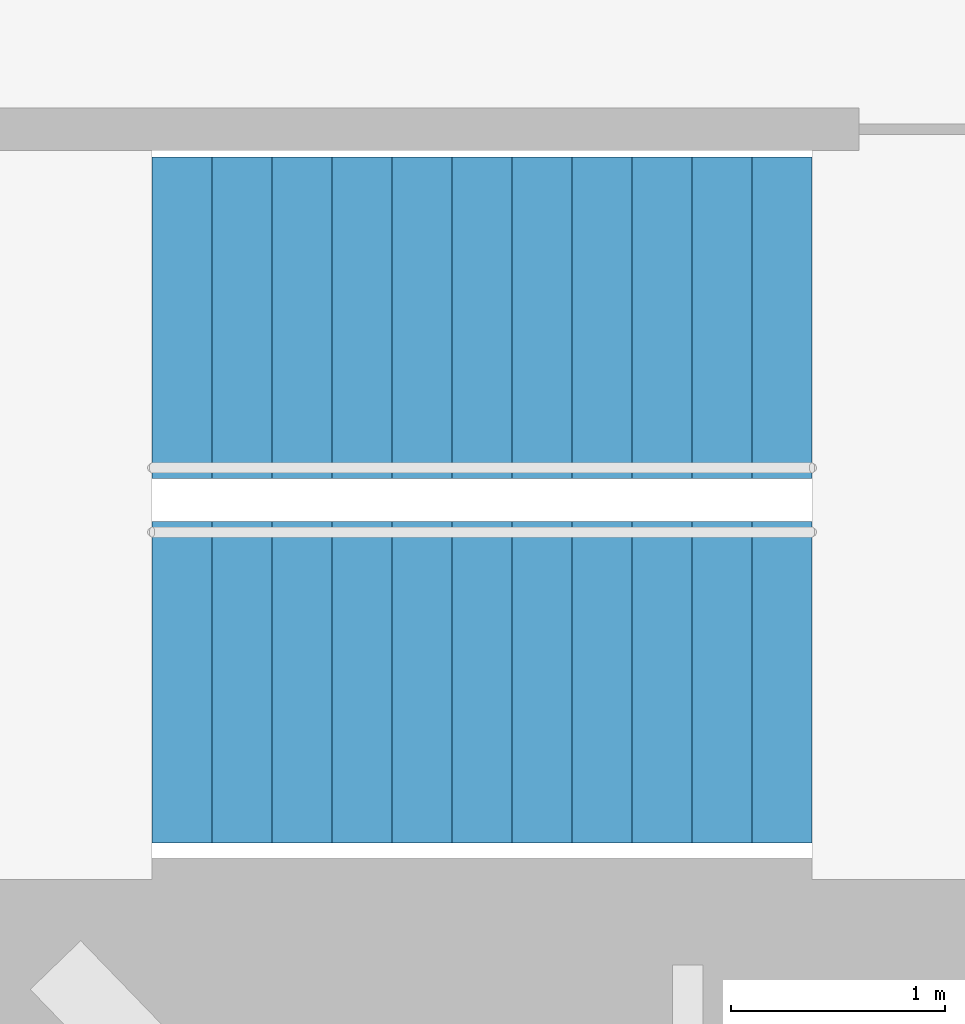
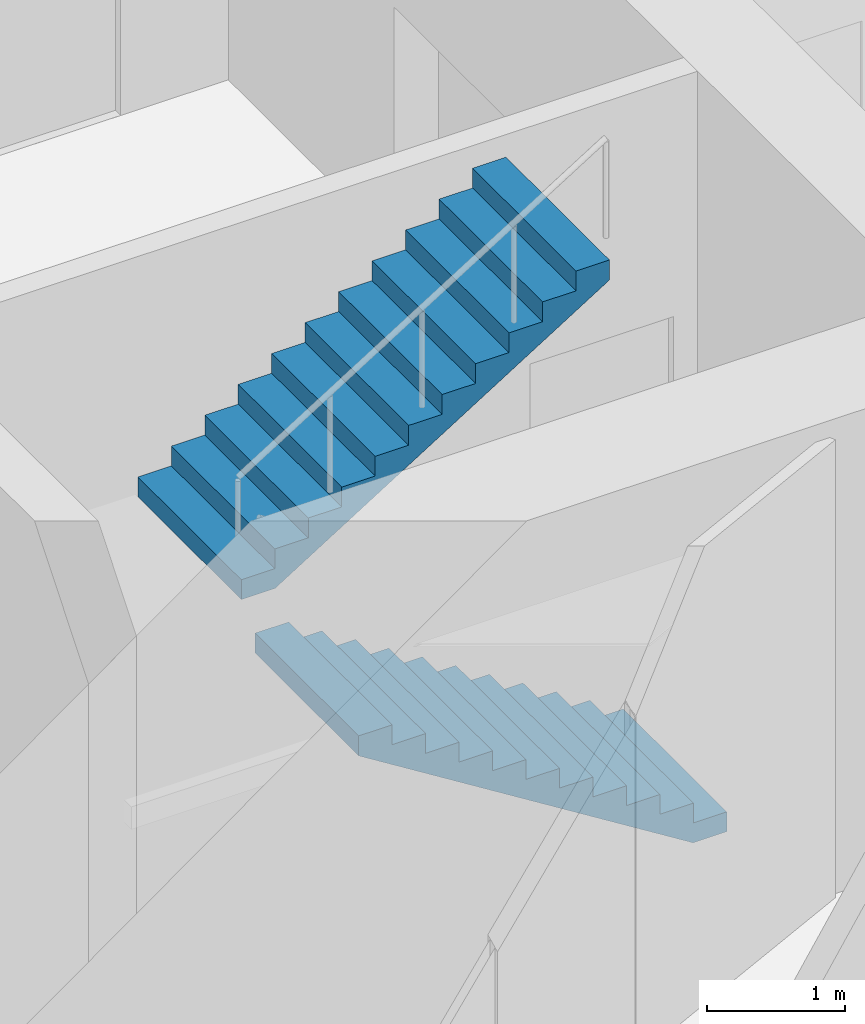
# One storey, part 16 of 17: 2 stair flights, 1 element without a shape of its own.
"""IFC4 building model written with IfcOpenShell, lengths in metres."""

from ifc_helpers import new_model, si_unit, direction, frame, origin, place, context, subcontext, project, spatial, triangles, material, type_object, element, aggregate, save


model = new_model("IFC4")

# Units and contexts
model_context = context("Model", 3, precision=1e-05, world=origin(), true_north=direction((0.0, 1.0)))
body_context = subcontext(model_context, "Body", "Model", "MODEL_VIEW")
ifc_project = project(units=[si_unit("LENGTHUNIT", "METRE"), si_unit("AREAUNIT", "SQUARE_METRE"), si_unit("VOLUMEUNIT", "CUBIC_METRE"), si_unit("PLANEANGLEUNIT", "RADIAN"), si_unit("MASSUNIT", "GRAM", prefix="KILO")], contexts=[model_context])

# Site, building, storey
site_placement = place(None, origin())
site = spatial("IfcSite", under=ifc_project, at=site_placement, CompositionType="ELEMENT")
building_placement = place(site_placement, origin())
building = spatial("IfcBuilding", under=site, at=building_placement, Name="Lantaw Convention Tower", CompositionType="ELEMENT")
storey_placement = place(building_placement, frame((0.0, 0.0, 224.199951171875)))
storey = spatial("IfcBuildingStorey", under=building, at=storey_placement, Name="L52", CompositionType="ELEMENT", Elevation=224.199951171875)

# Stair, stair flights
ifc_material = material(Name="Concrete C35/45", Category="concrete")
stair_type = type_object("IfcStairType", Name="Exit stair 1500 riser 175 in 2 flights", PredefinedType="HALF_TURN_STAIR", material=ifc_material)
stair_placement = place(storey_placement, origin())
stair = element("IfcStair", 1, at=stair_placement, inside=storey, type_object=stair_type, Name="Exit stair S2 L52", PredefinedType="HALF_TURN_STAIR")
stair_flight_type = type_object("IfcStairFlightType", Name="Stair flight 1500 riser 175", PredefinedType="STRAIGHT", material=ifc_material)
stair_flight_1_placement = place(storey_placement, frame((10.580078125, -5.97998046875, 0.0), z_axis=(0.0, 0.0, 1.0), x_axis=(-1.0, 0.0, 0.0)))
stair_flight_1 = element("IfcStairFlight", 2, at=stair_flight_1_placement, type_object=stair_flight_type, Name="S2 flight 1", NumberOfRisers=12, NumberOfTreads=11, PredefinedType="STRAIGHT", RiserHeight=0.175, TreadLength=0.28, context=body_context, shape_type="Tessellation", body=[
    triangles([(0.0, 0.75, 0.0), (0.0, 0.75, 0.175), (0.28, 0.75, 0.0), (0.28, 0.75, 0.175), (0.28, 0.75, 0.35), (0.28283517651771284, 0.75, 0.0), (0.28283517651771284, 0.75, 0.35), (0.56, 0.75, 0.17322801467642948), (0.56, 0.75, 0.35), (0.56, 0.75, 0.5249999999999999), (0.8400000000000001, 0.75, 0.34822801467642944), (0.8400000000000001, 0.75, 0.5249999999999999), (0.8400000000000001, 0.75, 0.7), (1.12, 0.75, 0.5232280146764294), (1.12, 0.75, 0.7), (1.12, 0.75, 0.875), (1.4000000000000001, 0.75, 0.6982280146764295), (1.4000000000000001, 0.75, 0.875), (1.4000000000000001, 0.75, 1.0499999999999998), (1.6800000000000002, 0.75, 0.8732280146764294), (1.6800000000000002, 0.75, 1.0499999999999998), (1.6800000000000002, 0.75, 1.2249999999999999), (1.9600000000000002, 0.75, 1.0482280146764293), (1.9600000000000002, 0.75, 1.2249999999999999), (1.9600000000000002, 0.75, 1.4), (2.24, 0.75, 1.2232280146764294), (2.24, 0.75, 1.4), (2.24, 0.75, 1.575), (2.5200000000000005, 0.75, 1.3982280146764294), (2.5200000000000005, 0.75, 1.575), (2.5200000000000005, 0.75, 1.75), (2.8000000000000003, 0.75, 1.5732280146764293), (2.8000000000000003, 0.75, 1.75), (2.8000000000000003, 0.75, 1.9249999999999998), (3.08, 0.75, 1.7482280146764293), (3.08, 0.75, 1.9249999999999998), (0.0, -0.75, 0.0), (0.0, -0.75, 0.175), (0.28, -0.75, 0.0), (0.28, -0.75, 0.175), (0.28, -0.75, 0.35), (0.28283517651771284, -0.75, 0.0), (0.28283517651771284, -0.75, 0.35), (0.56, -0.75, 0.17322801467642948), (0.56, -0.75, 0.35), (0.56, -0.75, 0.5249999999999999), (0.8400000000000001, -0.75, 0.34822801467642944), (0.8400000000000001, -0.75, 0.5249999999999999), (0.8400000000000001, -0.75, 0.7), (1.12, -0.75, 0.5232280146764294), (1.12, -0.75, 0.7), (1.12, -0.75, 0.875), (1.4000000000000001, -0.75, 0.6982280146764295), (1.4000000000000001, -0.75, 0.875), (1.4000000000000001, -0.75, 1.0499999999999998), (1.6800000000000002, -0.75, 0.8732280146764294), (1.6800000000000002, -0.75, 1.0499999999999998), (1.6800000000000002, -0.75, 1.2249999999999999), (1.9600000000000002, -0.75, 1.0482280146764293), (1.9600000000000002, -0.75, 1.2249999999999999), (1.9600000000000002, -0.75, 1.4), (2.24, -0.75, 1.2232280146764294), (2.24, -0.75, 1.4), (2.24, -0.75, 1.575), (2.5200000000000005, -0.75, 1.3982280146764294), (2.5200000000000005, -0.75, 1.575), (2.5200000000000005, -0.75, 1.75), (2.8000000000000003, -0.75, 1.5732280146764293), (2.8000000000000003, -0.75, 1.75), (2.8000000000000003, -0.75, 1.9249999999999998), (3.08, -0.75, 1.7482280146764293), (3.08, -0.75, 1.9249999999999998), (0.0, 0.15000000000000002, 0.175), (0.0, 0.15000000000000002, 0.0), (0.0, 0.0, 0.175), (0.0, 0.0, 0.0), (0.0, -0.15000000000000002, 0.175), (0.0, -0.15000000000000002, 0.0), (0.28, 0.15000000000000002, 0.35), (0.28, 0.15000000000000002, 0.175), (0.28, 0.0, 0.35), (0.28, 0.0, 0.175), (0.28, -0.15000000000000002, 0.35), (0.28, -0.15000000000000002, 0.175), (0.56, 0.15000000000000002, 0.5249999999999999), (0.56, 0.15000000000000002, 0.35), (0.56, 0.0, 0.5249999999999999), (0.56, 0.0, 0.35), (0.56, -0.15000000000000002, 0.5249999999999999), (0.56, -0.15000000000000002, 0.35), (0.8400000000000001, 0.15000000000000002, 0.7), (0.8400000000000001, 0.15000000000000002, 0.5249999999999999), (0.8400000000000001, 0.0, 0.7), (0.8400000000000001, 0.0, 0.5249999999999999), (0.8400000000000001, -0.15000000000000002, 0.7), (0.8400000000000001, -0.15000000000000002, 0.5249999999999999), (1.12, 0.15000000000000002, 0.875), (1.12, 0.15000000000000002, 0.7), (1.12, 0.0, 0.875), (1.12, 0.0, 0.7), (1.12, -0.15000000000000002, 0.875), (1.12, -0.15000000000000002, 0.7), (1.4000000000000001, 0.15000000000000002, 1.0499999999999998), (1.4000000000000001, 0.15000000000000002, 0.875), (1.4000000000000001, 0.0, 1.0499999999999998), (1.4000000000000001, 0.0, 0.875), (1.4000000000000001, -0.15000000000000002, 1.0499999999999998), (1.4000000000000001, -0.15000000000000002, 0.875), (1.6800000000000002, 0.15000000000000002, 1.2249999999999999), (1.6800000000000002, 0.15000000000000002, 1.0499999999999998), (1.6800000000000002, 0.0, 1.2249999999999999), (1.6800000000000002, 0.0, 1.0499999999999998), (1.6800000000000002, -0.15000000000000002, 1.2249999999999999), (1.6800000000000002, -0.15000000000000002, 1.0499999999999998), (1.9600000000000002, 0.15000000000000002, 1.4), (1.9600000000000002, 0.15000000000000002, 1.2249999999999999), (1.9600000000000002, 0.0, 1.4), (1.9600000000000002, 0.0, 1.2249999999999999), (1.9600000000000002, -0.15000000000000002, 1.4), (1.9600000000000002, -0.15000000000000002, 1.2249999999999999), (2.24, 0.15000000000000002, 1.575), (2.24, 0.15000000000000002, 1.4), (2.24, 0.0, 1.575), (2.24, 0.0, 1.4), (2.24, -0.15000000000000002, 1.575), (2.24, -0.15000000000000002, 1.4), (2.5200000000000005, 0.15000000000000002, 1.75), (2.5200000000000005, 0.15000000000000002, 1.575), (2.5200000000000005, 0.0, 1.75), (2.5200000000000005, 0.0, 1.575), (2.5200000000000005, -0.15000000000000002, 1.75), (2.5200000000000005, -0.15000000000000002, 1.575), (2.8000000000000003, 0.15000000000000002, 1.9249999999999998), (2.8000000000000003, 0.15000000000000002, 1.75), (2.8000000000000003, 0.0, 1.9249999999999998), (2.8000000000000003, 0.0, 1.75), (2.8000000000000003, -0.15000000000000002, 1.9249999999999998), (2.8000000000000003, -0.15000000000000002, 1.75), (0.28283517651771284, 0.15000000000000002, 0.35), (0.28283517651771284, 0.0, 0.35), (0.28283517651771284, -0.15000000000000002, 0.35), (3.08, 0.15000000000000002, 1.9249999999999998), (3.08, 0.0, 1.9249999999999998), (3.08, -0.15000000000000002, 1.9249999999999998), (3.08, 0.15000000000000002, 1.7482280146764293), (3.08, 0.0, 1.7482280146764293), (3.08, -0.15000000000000002, 1.7482280146764293), (2.8000000000000003, 0.15000000000000002, 1.5732280146764293), (2.8000000000000003, 0.0, 1.5732280146764293), (2.8000000000000003, -0.15000000000000002, 1.5732280146764293), (2.5200000000000005, 0.15000000000000002, 1.3982280146764294), (2.5200000000000005, 0.0, 1.3982280146764294), (2.5200000000000005, -0.15000000000000002, 1.3982280146764294), (2.24, 0.15000000000000002, 1.2232280146764294), (2.24, 0.0, 1.2232280146764294), (2.24, -0.15000000000000002, 1.2232280146764294), (1.9600000000000002, 0.15000000000000002, 1.0482280146764293), (1.9600000000000002, 0.0, 1.0482280146764293), (1.9600000000000002, -0.15000000000000002, 1.0482280146764293), (1.6800000000000002, 0.15000000000000002, 0.8732280146764294), (1.6800000000000002, 0.0, 0.8732280146764294), (1.6800000000000002, -0.15000000000000002, 0.8732280146764294), (1.4000000000000001, 0.15000000000000002, 0.6982280146764295), (1.4000000000000001, 0.0, 0.6982280146764295), (1.4000000000000001, -0.15000000000000002, 0.6982280146764295), (1.12, 0.15000000000000002, 0.5232280146764294), (1.12, 0.0, 0.5232280146764294), (1.12, -0.15000000000000002, 0.5232280146764294), (0.8400000000000001, 0.15000000000000002, 0.34822801467642944), (0.8400000000000001, 0.0, 0.34822801467642944), (0.8400000000000001, -0.15000000000000002, 0.34822801467642944), (0.56, 0.15000000000000002, 0.17322801467642948), (0.56, 0.0, 0.17322801467642948), (0.56, -0.15000000000000002, 0.17322801467642948), (0.28283517651771284, 0.15000000000000002, 0.0), (0.28283517651771284, 0.0, 0.0), (0.28283517651771284, -0.15000000000000002, 0.0), (0.28, 0.15000000000000002, 0.0), (0.28, 0.0, 0.0), (0.28, -0.15000000000000002, 0.0)], [[1, 4, 3], [1, 2, 4], [3, 4, 6], [4, 7, 6], [4, 5, 7], [6, 9, 8], [6, 7, 9], [8, 9, 11], [9, 12, 11], [9, 10, 12], [11, 12, 14], [12, 15, 14], [12, 13, 15], [14, 15, 17], [15, 18, 17], [15, 16, 18], [17, 18, 20], [18, 21, 20], [18, 19, 21], [20, 21, 23], [21, 24, 23], [21, 22, 24], [23, 24, 26], [24, 27, 26], [24, 25, 27], [26, 27, 29], [27, 30, 29], [27, 28, 30], [29, 30, 32], [30, 33, 32], [30, 31, 33], [32, 33, 35], [33, 36, 35], [33, 34, 36], [37, 39, 40], [37, 40, 38], [39, 42, 40], [40, 42, 43], [40, 43, 41], [42, 44, 45], [42, 45, 43], [44, 47, 45], [45, 47, 48], [45, 48, 46], [47, 50, 48], [48, 50, 51], [48, 51, 49], [50, 53, 51], [51, 53, 54], [51, 54, 52], [53, 56, 54], [54, 56, 57], [54, 57, 55], [56, 59, 57], [57, 59, 60], [57, 60, 58], [59, 62, 60], [60, 62, 63], [60, 63, 61], [62, 65, 63], [63, 65, 66], [63, 66, 64], [65, 68, 66], [66, 68, 69], [66, 69, 67], [68, 71, 69], [69, 71, 72], [69, 72, 70], [1, 73, 2], [1, 74, 73], [74, 75, 73], [74, 76, 75], [76, 77, 75], [76, 78, 77], [78, 38, 77], [78, 37, 38], [4, 79, 5], [4, 80, 79], [80, 81, 79], [80, 82, 81], [82, 83, 81], [82, 84, 83], [84, 41, 83], [84, 40, 41], [9, 85, 10], [9, 86, 85], [86, 87, 85], [86, 88, 87], [88, 89, 87], [88, 90, 89], [90, 46, 89], [90, 45, 46], [12, 91, 13], [12, 92, 91], [92, 93, 91], [92, 94, 93], [94, 95, 93], [94, 96, 95], [96, 49, 95], [96, 48, 49], [15, 97, 16], [15, 98, 97], [98, 99, 97], [98, 100, 99], [100, 101, 99], [100, 102, 101], [102, 52, 101], [102, 51, 52], [18, 103, 19], [18, 104, 103], [104, 105, 103], [104, 106, 105], [106, 107, 105], [106, 108, 107], [108, 55, 107], [108, 54, 55], [21, 109, 22], [21, 110, 109], [110, 111, 109], [110, 112, 111], [112, 113, 111], [112, 114, 113], [114, 58, 113], [114, 57, 58], [24, 115, 25], [24, 116, 115], [116, 117, 115], [116, 118, 117], [118, 119, 117], [118, 120, 119], [120, 61, 119], [120, 60, 61], [27, 121, 28], [27, 122, 121], [122, 123, 121], [122, 124, 123], [124, 125, 123], [124, 126, 125], [126, 64, 125], [126, 63, 64], [30, 127, 31], [30, 128, 127], [128, 129, 127], [128, 130, 129], [130, 131, 129], [130, 132, 131], [132, 67, 131], [132, 66, 67], [33, 133, 34], [33, 134, 133], [134, 135, 133], [134, 136, 135], [136, 137, 135], [136, 138, 137], [138, 70, 137], [138, 69, 70], [2, 80, 4], [2, 73, 80], [73, 82, 80], [73, 75, 82], [75, 84, 82], [75, 77, 84], [77, 40, 84], [77, 38, 40], [5, 139, 7], [5, 79, 139], [79, 140, 139], [79, 81, 140], [81, 141, 140], [81, 83, 141], [83, 43, 141], [83, 41, 43], [7, 86, 9], [7, 139, 86], [139, 88, 86], [139, 140, 88], [140, 90, 88], [140, 141, 90], [141, 45, 90], [141, 43, 45], [10, 92, 12], [10, 85, 92], [85, 94, 92], [85, 87, 94], [87, 96, 94], [87, 89, 96], [89, 48, 96], [89, 46, 48], [13, 98, 15], [13, 91, 98], [91, 100, 98], [91, 93, 100], [93, 102, 100], [93, 95, 102], [95, 51, 102], [95, 49, 51], [16, 104, 18], [16, 97, 104], [97, 106, 104], [97, 99, 106], [99, 108, 106], [99, 101, 108], [101, 54, 108], [101, 52, 54], [19, 110, 21], [19, 103, 110], [103, 112, 110], [103, 105, 112], [105, 114, 112], [105, 107, 114], [107, 57, 114], [107, 55, 57], [22, 116, 24], [22, 109, 116], [109, 118, 116], [109, 111, 118], [111, 120, 118], [111, 113, 120], [113, 60, 120], [113, 58, 60], [25, 122, 27], [25, 115, 122], [115, 124, 122], [115, 117, 124], [117, 126, 124], [117, 119, 126], [119, 63, 126], [119, 61, 63], [28, 128, 30], [28, 121, 128], [121, 130, 128], [121, 123, 130], [123, 132, 130], [123, 125, 132], [125, 66, 132], [125, 64, 66], [31, 134, 33], [31, 127, 134], [127, 136, 134], [127, 129, 136], [129, 138, 136], [129, 131, 138], [131, 69, 138], [131, 67, 69], [34, 142, 36], [34, 133, 142], [133, 143, 142], [133, 135, 143], [135, 144, 143], [135, 137, 144], [137, 72, 144], [137, 70, 72], [36, 145, 35], [36, 142, 145], [142, 146, 145], [142, 143, 146], [143, 147, 146], [143, 144, 147], [144, 71, 147], [144, 72, 71], [35, 148, 32], [35, 145, 148], [145, 149, 148], [145, 146, 149], [146, 150, 149], [146, 147, 150], [147, 68, 150], [147, 71, 68], [32, 151, 29], [32, 148, 151], [148, 152, 151], [148, 149, 152], [149, 153, 152], [149, 150, 153], [150, 65, 153], [150, 68, 65], [29, 154, 26], [29, 151, 154], [151, 155, 154], [151, 152, 155], [152, 156, 155], [152, 153, 156], [153, 62, 156], [153, 65, 62], [26, 157, 23], [26, 154, 157], [154, 158, 157], [154, 155, 158], [155, 159, 158], [155, 156, 159], [156, 59, 159], [156, 62, 59], [23, 160, 20], [23, 157, 160], [157, 161, 160], [157, 158, 161], [158, 162, 161], [158, 159, 162], [159, 56, 162], [159, 59, 56], [20, 163, 17], [20, 160, 163], [160, 164, 163], [160, 161, 164], [161, 165, 164], [161, 162, 165], [162, 53, 165], [162, 56, 53], [17, 166, 14], [17, 163, 166], [163, 167, 166], [163, 164, 167], [164, 168, 167], [164, 165, 168], [165, 50, 168], [165, 53, 50], [14, 169, 11], [14, 166, 169], [166, 170, 169], [166, 167, 170], [167, 171, 170], [167, 168, 171], [168, 47, 171], [168, 50, 47], [11, 172, 8], [11, 169, 172], [169, 173, 172], [169, 170, 173], [170, 174, 173], [170, 171, 174], [171, 44, 174], [171, 47, 44], [8, 175, 6], [8, 172, 175], [172, 176, 175], [172, 173, 176], [173, 177, 176], [173, 174, 177], [174, 42, 177], [174, 44, 42], [6, 178, 3], [6, 175, 178], [175, 179, 178], [175, 176, 179], [176, 180, 179], [176, 177, 180], [177, 39, 180], [177, 42, 39], [3, 74, 1], [3, 178, 74], [178, 76, 74], [178, 179, 76], [179, 78, 76], [179, 180, 78], [180, 37, 78], [180, 39, 37]], closed=True),
])
stair_flight_2_placement = place(storey_placement, frame((7.5, -4.280029296875, 2.10009765625), z_axis=(0.0, 0.0, 1.0), x_axis=(1.0, 0.0, 0.0)))
stair_flight_2 = element("IfcStairFlight", 3, at=stair_flight_2_placement, type_object=stair_flight_type, Name="S2 flight 2", NumberOfRisers=12, NumberOfTreads=11, PredefinedType="STRAIGHT", RiserHeight=0.175, TreadLength=0.28, context=body_context, shape_type="Tessellation", body=[
    triangles([(0.0, 0.75, 0.0), (0.0, 0.75, 0.175), (0.28, 0.75, 0.0), (0.28, 0.75, 0.175), (0.28, 0.75, 0.35), (0.28283517651771284, 0.75, 0.0), (0.28283517651771284, 0.75, 0.35), (0.56, 0.75, 0.17322801467642948), (0.56, 0.75, 0.35), (0.56, 0.75, 0.5249999999999999), (0.8400000000000001, 0.75, 0.34822801467642944), (0.8400000000000001, 0.75, 0.5249999999999999), (0.8400000000000001, 0.75, 0.7), (1.12, 0.75, 0.5232280146764294), (1.12, 0.75, 0.7), (1.12, 0.75, 0.875), (1.4000000000000001, 0.75, 0.6982280146764295), (1.4000000000000001, 0.75, 0.875), (1.4000000000000001, 0.75, 1.0499999999999998), (1.6800000000000002, 0.75, 0.8732280146764294), (1.6800000000000002, 0.75, 1.0499999999999998), (1.6800000000000002, 0.75, 1.2249999999999999), (1.9600000000000002, 0.75, 1.0482280146764293), (1.9600000000000002, 0.75, 1.2249999999999999), (1.9600000000000002, 0.75, 1.4), (2.24, 0.75, 1.2232280146764294), (2.24, 0.75, 1.4), (2.24, 0.75, 1.575), (2.5200000000000005, 0.75, 1.3982280146764294), (2.5200000000000005, 0.75, 1.575), (2.5200000000000005, 0.75, 1.75), (2.8000000000000003, 0.75, 1.5732280146764293), (2.8000000000000003, 0.75, 1.75), (2.8000000000000003, 0.75, 1.9249999999999998), (3.08, 0.75, 1.7482280146764293), (3.08, 0.75, 1.9249999999999998), (0.0, -0.75, 0.0), (0.0, -0.75, 0.175), (0.28, -0.75, 0.0), (0.28, -0.75, 0.175), (0.28, -0.75, 0.35), (0.28283517651771284, -0.75, 0.0), (0.28283517651771284, -0.75, 0.35), (0.56, -0.75, 0.17322801467642948), (0.56, -0.75, 0.35), (0.56, -0.75, 0.5249999999999999), (0.8400000000000001, -0.75, 0.34822801467642944), (0.8400000000000001, -0.75, 0.5249999999999999), (0.8400000000000001, -0.75, 0.7), (1.12, -0.75, 0.5232280146764294), (1.12, -0.75, 0.7), (1.12, -0.75, 0.875), (1.4000000000000001, -0.75, 0.6982280146764295), (1.4000000000000001, -0.75, 0.875), (1.4000000000000001, -0.75, 1.0499999999999998), (1.6800000000000002, -0.75, 0.8732280146764294), (1.6800000000000002, -0.75, 1.0499999999999998), (1.6800000000000002, -0.75, 1.2249999999999999), (1.9600000000000002, -0.75, 1.0482280146764293), (1.9600000000000002, -0.75, 1.2249999999999999), (1.9600000000000002, -0.75, 1.4), (2.24, -0.75, 1.2232280146764294), (2.24, -0.75, 1.4), (2.24, -0.75, 1.575), (2.5200000000000005, -0.75, 1.3982280146764294), (2.5200000000000005, -0.75, 1.575), (2.5200000000000005, -0.75, 1.75), (2.8000000000000003, -0.75, 1.5732280146764293), (2.8000000000000003, -0.75, 1.75), (2.8000000000000003, -0.75, 1.9249999999999998), (3.08, -0.75, 1.7482280146764293), (3.08, -0.75, 1.9249999999999998), (0.0, 0.15000000000000002, 0.175), (0.0, 0.15000000000000002, 0.0), (0.0, 0.0, 0.175), (0.0, 0.0, 0.0), (0.0, -0.15000000000000002, 0.175), (0.0, -0.15000000000000002, 0.0), (0.28, 0.15000000000000002, 0.35), (0.28, 0.15000000000000002, 0.175), (0.28, 0.0, 0.35), (0.28, 0.0, 0.175), (0.28, -0.15000000000000002, 0.35), (0.28, -0.15000000000000002, 0.175), (0.56, 0.15000000000000002, 0.5249999999999999), (0.56, 0.15000000000000002, 0.35), (0.56, 0.0, 0.5249999999999999), (0.56, 0.0, 0.35), (0.56, -0.15000000000000002, 0.5249999999999999), (0.56, -0.15000000000000002, 0.35), (0.8400000000000001, 0.15000000000000002, 0.7), (0.8400000000000001, 0.15000000000000002, 0.5249999999999999), (0.8400000000000001, 0.0, 0.7), (0.8400000000000001, 0.0, 0.5249999999999999), (0.8400000000000001, -0.15000000000000002, 0.7), (0.8400000000000001, -0.15000000000000002, 0.5249999999999999), (1.12, 0.15000000000000002, 0.875), (1.12, 0.15000000000000002, 0.7), (1.12, 0.0, 0.875), (1.12, 0.0, 0.7), (1.12, -0.15000000000000002, 0.875), (1.12, -0.15000000000000002, 0.7), (1.4000000000000001, 0.15000000000000002, 1.0499999999999998), (1.4000000000000001, 0.15000000000000002, 0.875), (1.4000000000000001, 0.0, 1.0499999999999998), (1.4000000000000001, 0.0, 0.875), (1.4000000000000001, -0.15000000000000002, 1.0499999999999998), (1.4000000000000001, -0.15000000000000002, 0.875), (1.6800000000000002, 0.15000000000000002, 1.2249999999999999), (1.6800000000000002, 0.15000000000000002, 1.0499999999999998), (1.6800000000000002, 0.0, 1.2249999999999999), (1.6800000000000002, 0.0, 1.0499999999999998), (1.6800000000000002, -0.15000000000000002, 1.2249999999999999), (1.6800000000000002, -0.15000000000000002, 1.0499999999999998), (1.9600000000000002, 0.15000000000000002, 1.4), (1.9600000000000002, 0.15000000000000002, 1.2249999999999999), (1.9600000000000002, 0.0, 1.4), (1.9600000000000002, 0.0, 1.2249999999999999), (1.9600000000000002, -0.15000000000000002, 1.4), (1.9600000000000002, -0.15000000000000002, 1.2249999999999999), (2.24, 0.15000000000000002, 1.575), (2.24, 0.15000000000000002, 1.4), (2.24, 0.0, 1.575), (2.24, 0.0, 1.4), (2.24, -0.15000000000000002, 1.575), (2.24, -0.15000000000000002, 1.4), (2.5200000000000005, 0.15000000000000002, 1.75), (2.5200000000000005, 0.15000000000000002, 1.575), (2.5200000000000005, 0.0, 1.75), (2.5200000000000005, 0.0, 1.575), (2.5200000000000005, -0.15000000000000002, 1.75), (2.5200000000000005, -0.15000000000000002, 1.575), (2.8000000000000003, 0.15000000000000002, 1.9249999999999998), (2.8000000000000003, 0.15000000000000002, 1.75), (2.8000000000000003, 0.0, 1.9249999999999998), (2.8000000000000003, 0.0, 1.75), (2.8000000000000003, -0.15000000000000002, 1.9249999999999998), (2.8000000000000003, -0.15000000000000002, 1.75), (0.28283517651771284, 0.15000000000000002, 0.35), (0.28283517651771284, 0.0, 0.35), (0.28283517651771284, -0.15000000000000002, 0.35), (3.08, 0.15000000000000002, 1.9249999999999998), (3.08, 0.0, 1.9249999999999998), (3.08, -0.15000000000000002, 1.9249999999999998), (3.08, 0.15000000000000002, 1.7482280146764293), (3.08, 0.0, 1.7482280146764293), (3.08, -0.15000000000000002, 1.7482280146764293), (2.8000000000000003, 0.15000000000000002, 1.5732280146764293), (2.8000000000000003, 0.0, 1.5732280146764293), (2.8000000000000003, -0.15000000000000002, 1.5732280146764293), (2.5200000000000005, 0.15000000000000002, 1.3982280146764294), (2.5200000000000005, 0.0, 1.3982280146764294), (2.5200000000000005, -0.15000000000000002, 1.3982280146764294), (2.24, 0.15000000000000002, 1.2232280146764294), (2.24, 0.0, 1.2232280146764294), (2.24, -0.15000000000000002, 1.2232280146764294), (1.9600000000000002, 0.15000000000000002, 1.0482280146764293), (1.9600000000000002, 0.0, 1.0482280146764293), (1.9600000000000002, -0.15000000000000002, 1.0482280146764293), (1.6800000000000002, 0.15000000000000002, 0.8732280146764294), (1.6800000000000002, 0.0, 0.8732280146764294), (1.6800000000000002, -0.15000000000000002, 0.8732280146764294), (1.4000000000000001, 0.15000000000000002, 0.6982280146764295), (1.4000000000000001, 0.0, 0.6982280146764295), (1.4000000000000001, -0.15000000000000002, 0.6982280146764295), (1.12, 0.15000000000000002, 0.5232280146764294), (1.12, 0.0, 0.5232280146764294), (1.12, -0.15000000000000002, 0.5232280146764294), (0.8400000000000001, 0.15000000000000002, 0.34822801467642944), (0.8400000000000001, 0.0, 0.34822801467642944), (0.8400000000000001, -0.15000000000000002, 0.34822801467642944), (0.56, 0.15000000000000002, 0.17322801467642948), (0.56, 0.0, 0.17322801467642948), (0.56, -0.15000000000000002, 0.17322801467642948), (0.28283517651771284, 0.15000000000000002, 0.0), (0.28283517651771284, 0.0, 0.0), (0.28283517651771284, -0.15000000000000002, 0.0), (0.28, 0.15000000000000002, 0.0), (0.28, 0.0, 0.0), (0.28, -0.15000000000000002, 0.0)], [[1, 4, 3], [1, 2, 4], [3, 4, 6], [4, 7, 6], [4, 5, 7], [6, 9, 8], [6, 7, 9], [8, 9, 11], [9, 12, 11], [9, 10, 12], [11, 12, 14], [12, 15, 14], [12, 13, 15], [14, 15, 17], [15, 18, 17], [15, 16, 18], [17, 18, 20], [18, 21, 20], [18, 19, 21], [20, 21, 23], [21, 24, 23], [21, 22, 24], [23, 24, 26], [24, 27, 26], [24, 25, 27], [26, 27, 29], [27, 30, 29], [27, 28, 30], [29, 30, 32], [30, 33, 32], [30, 31, 33], [32, 33, 35], [33, 36, 35], [33, 34, 36], [37, 39, 40], [37, 40, 38], [39, 42, 40], [40, 42, 43], [40, 43, 41], [42, 44, 45], [42, 45, 43], [44, 47, 45], [45, 47, 48], [45, 48, 46], [47, 50, 48], [48, 50, 51], [48, 51, 49], [50, 53, 51], [51, 53, 54], [51, 54, 52], [53, 56, 54], [54, 56, 57], [54, 57, 55], [56, 59, 57], [57, 59, 60], [57, 60, 58], [59, 62, 60], [60, 62, 63], [60, 63, 61], [62, 65, 63], [63, 65, 66], [63, 66, 64], [65, 68, 66], [66, 68, 69], [66, 69, 67], [68, 71, 69], [69, 71, 72], [69, 72, 70], [1, 73, 2], [1, 74, 73], [74, 75, 73], [74, 76, 75], [76, 77, 75], [76, 78, 77], [78, 38, 77], [78, 37, 38], [4, 79, 5], [4, 80, 79], [80, 81, 79], [80, 82, 81], [82, 83, 81], [82, 84, 83], [84, 41, 83], [84, 40, 41], [9, 85, 10], [9, 86, 85], [86, 87, 85], [86, 88, 87], [88, 89, 87], [88, 90, 89], [90, 46, 89], [90, 45, 46], [12, 91, 13], [12, 92, 91], [92, 93, 91], [92, 94, 93], [94, 95, 93], [94, 96, 95], [96, 49, 95], [96, 48, 49], [15, 97, 16], [15, 98, 97], [98, 99, 97], [98, 100, 99], [100, 101, 99], [100, 102, 101], [102, 52, 101], [102, 51, 52], [18, 103, 19], [18, 104, 103], [104, 105, 103], [104, 106, 105], [106, 107, 105], [106, 108, 107], [108, 55, 107], [108, 54, 55], [21, 109, 22], [21, 110, 109], [110, 111, 109], [110, 112, 111], [112, 113, 111], [112, 114, 113], [114, 58, 113], [114, 57, 58], [24, 115, 25], [24, 116, 115], [116, 117, 115], [116, 118, 117], [118, 119, 117], [118, 120, 119], [120, 61, 119], [120, 60, 61], [27, 121, 28], [27, 122, 121], [122, 123, 121], [122, 124, 123], [124, 125, 123], [124, 126, 125], [126, 64, 125], [126, 63, 64], [30, 127, 31], [30, 128, 127], [128, 129, 127], [128, 130, 129], [130, 131, 129], [130, 132, 131], [132, 67, 131], [132, 66, 67], [33, 133, 34], [33, 134, 133], [134, 135, 133], [134, 136, 135], [136, 137, 135], [136, 138, 137], [138, 70, 137], [138, 69, 70], [2, 80, 4], [2, 73, 80], [73, 82, 80], [73, 75, 82], [75, 84, 82], [75, 77, 84], [77, 40, 84], [77, 38, 40], [5, 139, 7], [5, 79, 139], [79, 140, 139], [79, 81, 140], [81, 141, 140], [81, 83, 141], [83, 43, 141], [83, 41, 43], [7, 86, 9], [7, 139, 86], [139, 88, 86], [139, 140, 88], [140, 90, 88], [140, 141, 90], [141, 45, 90], [141, 43, 45], [10, 92, 12], [10, 85, 92], [85, 94, 92], [85, 87, 94], [87, 96, 94], [87, 89, 96], [89, 48, 96], [89, 46, 48], [13, 98, 15], [13, 91, 98], [91, 100, 98], [91, 93, 100], [93, 102, 100], [93, 95, 102], [95, 51, 102], [95, 49, 51], [16, 104, 18], [16, 97, 104], [97, 106, 104], [97, 99, 106], [99, 108, 106], [99, 101, 108], [101, 54, 108], [101, 52, 54], [19, 110, 21], [19, 103, 110], [103, 112, 110], [103, 105, 112], [105, 114, 112], [105, 107, 114], [107, 57, 114], [107, 55, 57], [22, 116, 24], [22, 109, 116], [109, 118, 116], [109, 111, 118], [111, 120, 118], [111, 113, 120], [113, 60, 120], [113, 58, 60], [25, 122, 27], [25, 115, 122], [115, 124, 122], [115, 117, 124], [117, 126, 124], [117, 119, 126], [119, 63, 126], [119, 61, 63], [28, 128, 30], [28, 121, 128], [121, 130, 128], [121, 123, 130], [123, 132, 130], [123, 125, 132], [125, 66, 132], [125, 64, 66], [31, 134, 33], [31, 127, 134], [127, 136, 134], [127, 129, 136], [129, 138, 136], [129, 131, 138], [131, 69, 138], [131, 67, 69], [34, 142, 36], [34, 133, 142], [133, 143, 142], [133, 135, 143], [135, 144, 143], [135, 137, 144], [137, 72, 144], [137, 70, 72], [36, 145, 35], [36, 142, 145], [142, 146, 145], [142, 143, 146], [143, 147, 146], [143, 144, 147], [144, 71, 147], [144, 72, 71], [35, 148, 32], [35, 145, 148], [145, 149, 148], [145, 146, 149], [146, 150, 149], [146, 147, 150], [147, 68, 150], [147, 71, 68], [32, 151, 29], [32, 148, 151], [148, 152, 151], [148, 149, 152], [149, 153, 152], [149, 150, 153], [150, 65, 153], [150, 68, 65], [29, 154, 26], [29, 151, 154], [151, 155, 154], [151, 152, 155], [152, 156, 155], [152, 153, 156], [153, 62, 156], [153, 65, 62], [26, 157, 23], [26, 154, 157], [154, 158, 157], [154, 155, 158], [155, 159, 158], [155, 156, 159], [156, 59, 159], [156, 62, 59], [23, 160, 20], [23, 157, 160], [157, 161, 160], [157, 158, 161], [158, 162, 161], [158, 159, 162], [159, 56, 162], [159, 59, 56], [20, 163, 17], [20, 160, 163], [160, 164, 163], [160, 161, 164], [161, 165, 164], [161, 162, 165], [162, 53, 165], [162, 56, 53], [17, 166, 14], [17, 163, 166], [163, 167, 166], [163, 164, 167], [164, 168, 167], [164, 165, 168], [165, 50, 168], [165, 53, 50], [14, 169, 11], [14, 166, 169], [166, 170, 169], [166, 167, 170], [167, 171, 170], [167, 168, 171], [168, 47, 171], [168, 50, 47], [11, 172, 8], [11, 169, 172], [169, 173, 172], [169, 170, 173], [170, 174, 173], [170, 171, 174], [171, 44, 174], [171, 47, 44], [8, 175, 6], [8, 172, 175], [172, 176, 175], [172, 173, 176], [173, 177, 176], [173, 174, 177], [174, 42, 177], [174, 44, 42], [6, 178, 3], [6, 175, 178], [175, 179, 178], [175, 176, 179], [176, 180, 179], [176, 177, 180], [177, 39, 180], [177, 42, 39], [3, 74, 1], [3, 178, 74], [178, 76, 74], [178, 179, 76], [179, 78, 76], [179, 180, 78], [180, 37, 78], [180, 39, 37]], closed=True),
])
aggregate(stair, [stair_flight_1, stair_flight_2])

save(model, "model.ifc")
